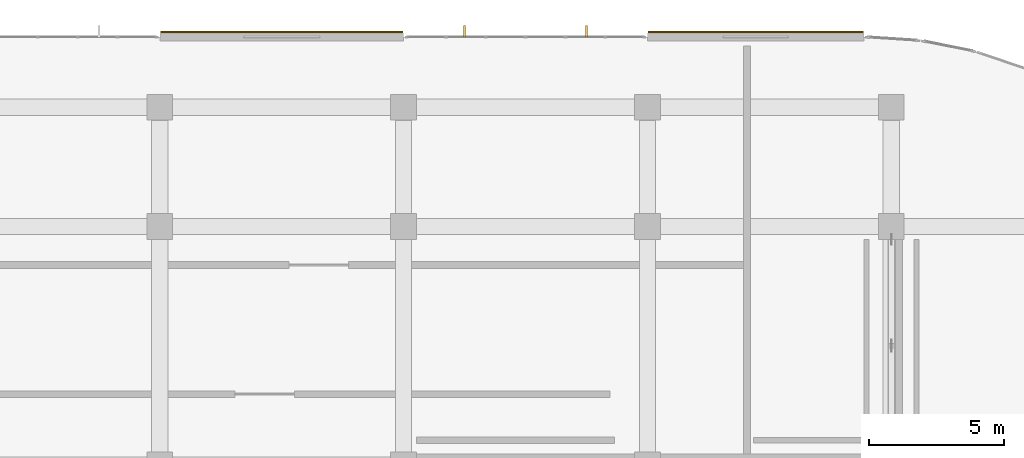
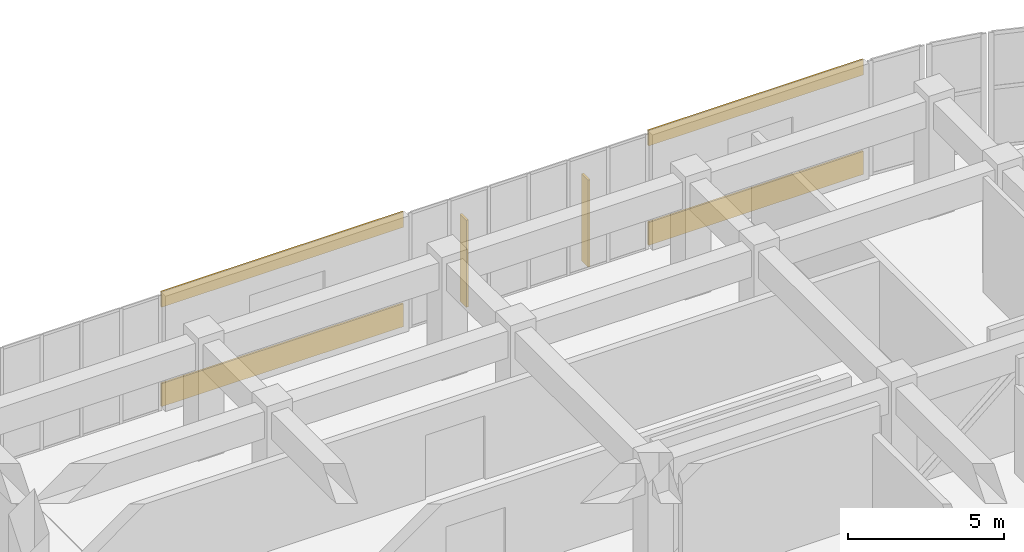
# One storey, part 85 of 86: 4 coverings, 2 shading devices.
"""IFC4 building model written with IfcOpenShell, lengths in metres."""

import ifcopenshell
import ifcopenshell.guid

model = None  # the IFC model being written
_history = None  # IfcOwnerHistory: only IFC2X3 demands one
_inside = {}  # id of a spatial element -> (the spatial element, [elements in it])
_under = {}  # id of a project, library or spatial element -> (it, [spatial elements below it])
_declared = {}  # id of a project -> (the project, [libraries it declares])
_typed = {}  # id of a type object -> (the type object, [elements of that type])
_made_of = {}  # id of a material, layer set ... -> (it, [elements and type objects made of it])


def new_model(schema):
    """Start an empty IFC model of exactly this schema.

    Asked for "IFC4X3", IfcOpenShell would pick the latest addendum, in which some entities
    have other attributes; the version numbers below select the first issue.
    IFC2X3 requires an IfcOwnerHistory on every rooted entity: one is made here for all.
    """
    global model, _history
    if schema == "IFC4X3":
        model = ifcopenshell.file(schema_version=(4, 3, 0, 0))
    else:
        model = ifcopenshell.file(schema=schema)
    _inside.clear()
    _under.clear()
    _declared.clear()
    _typed.clear()
    _made_of.clear()
    _history = None
    if model.schema == "IFC2X3":
        org = make("IfcOrganization", Name="unknown")
        user = make(
            "IfcPersonAndOrganization",
            ThePerson=make("IfcPerson", FamilyName="unknown"),
            TheOrganization=org,
        )
        app = make(
            "IfcApplication",
            ApplicationDeveloper=org,
            Version="unknown",
            ApplicationFullName="unknown",
            ApplicationIdentifier="unknown",
        )
        _history = make(
            "IfcOwnerHistory",
            OwningUser=user,
            OwningApplication=app,
            ChangeAction="ADDED",
            CreationDate=0,
        )
    return model


def make(cls, **values):
    """One entity of the class cls with the attributes given. An attribute that is None is left unset."""
    return model.create_entity(
        cls, **{name: value for name, value in values.items() if value is not None}
    )


def rooted(cls, **values):
    """An entity with a GlobalId (a new one), such as an element, a storey or a relation."""
    return make(cls, GlobalId=ifcopenshell.guid.new(), OwnerHistory=_history, **values)


def si_unit(unit_type, name, prefix=None):
    """IfcSIUnit, for example si_unit("LENGTHUNIT", "METRE", prefix="MILLI")."""
    return make("IfcSIUnit", UnitType=unit_type, Prefix=prefix, Name=name)


def assignment(units):
    """IfcUnitAssignment: the units of a project."""
    return None if units is None else make("IfcUnitAssignment", Units=units)


def point(xyz):
    """IfcCartesianPoint."""
    return None if xyz is None else make("IfcCartesianPoint", Coordinates=xyz)


def direction(xyz):
    """IfcDirection."""
    return None if xyz is None else make("IfcDirection", DirectionRatios=xyz)


def frame(location, z_axis=None, x_axis=None):
    """IfcAxis2Placement3D, a coordinate frame: its origin and axes. An axis left out is left unset."""
    return make(
        "IfcAxis2Placement3D",
        Location=point(location),
        Axis=direction(z_axis),
        RefDirection=direction(x_axis),
    )


def frame_2d(location, x_axis=None):
    """IfcAxis2Placement2D, a coordinate frame in the plane: its origin and x axis."""
    return make(
        "IfcAxis2Placement2D", Location=point(location), RefDirection=direction(x_axis)
    )


def origin():
    """The frame at (0, 0, 0) with its axes left unset."""
    return frame((0.0, 0.0, 0.0))


def origin_2d():
    """The frame at (0, 0) in the plane with its x axis left unset."""
    return frame_2d((0.0, 0.0))


def place(relative_to, where):
    """IfcLocalPlacement: puts the frame where relative to a parent placement (None: the world)."""
    return make(
        "IfcLocalPlacement", PlacementRelTo=relative_to, RelativePlacement=where
    )


def context(
    kind, dimensions, precision=None, world=None, true_north=None, identifier=None
):
    """IfcGeometricRepresentationContext, for example the 3D "Model" context."""
    return make(
        "IfcGeometricRepresentationContext",
        ContextIdentifier=identifier,
        ContextType=kind,
        CoordinateSpaceDimension=dimensions,
        Precision=precision,
        WorldCoordinateSystem=world,
        TrueNorth=true_north,
    )


def subcontext(parent, identifier, kind, view, scale=None):
    """IfcGeometricRepresentationSubContext, for example "Body" below "Model"."""
    return make(
        "IfcGeometricRepresentationSubContext",
        ContextIdentifier=identifier,
        ContextType=kind,
        ParentContext=parent,
        TargetScale=scale,
        TargetView=view,
    )


def project(units=None, contexts=None):
    """IfcProject with its units and contexts."""
    return rooted(
        "IfcProject",
        Name="project",
        RepresentationContexts=contexts,
        UnitsInContext=assignment(units),
    )


def spatial(cls, under=None, at=None, **own):
    """A site, building, storey or space (cls), placed at a placement, below another one or the project."""
    s = rooted(cls, ObjectPlacement=at, **own)
    if under is not None:
        _under.setdefault(under.id(), (under, []))[1].append(s)
    return s


def profile(cls, at=None, kind="AREA", **sizes):
    """A parametric profile (cls). Its sizes go by their IFC names, for example OverallWidth=200.0."""
    return make(cls, ProfileType=kind, Position=at, **sizes)


def rectangle(**sizes):
    """IfcRectangleProfileDef."""
    return profile("IfcRectangleProfileDef", **sizes)


def extrude(swept, where, along, depth):
    """IfcExtrudedAreaSolid: the profile swept, set in the frame where, extruded along a direction by depth."""
    return make(
        "IfcExtrudedAreaSolid",
        SweptArea=swept,
        Position=where,
        ExtrudedDirection=direction(along),
        Depth=depth,
    )


def shape(context_of_items, identifier, shape_type, items):
    """IfcShapeRepresentation: the items that make up one representation, for example the "Body"."""
    return make(
        "IfcShapeRepresentation",
        ContextOfItems=context_of_items,
        RepresentationIdentifier=identifier,
        RepresentationType=shape_type,
        Items=items,
    )


def material(Name=None, Category=None):
    """IfcMaterial."""
    return make("IfcMaterial", Name=Name, Category=Category)


def layer(
    of_material, thickness, ventilated=None, Name=None, Category=None, Priority=None
):
    """IfcMaterialLayer: one layer of a wall or slab, of a material (None: an air gap)."""
    return make(
        "IfcMaterialLayer",
        Material=of_material,
        LayerThickness=thickness,
        IsVentilated=ventilated,
        Name=Name,
        Category=Category,
        Priority=Priority,
    )


def layer_set(layers, Name=None):
    """IfcMaterialLayerSet."""
    return make("IfcMaterialLayerSet", MaterialLayers=layers, LayerSetName=Name)


def made_of(thing, what):
    """Note that an element or type object is made of a material, layer set ...; save() writes the relation."""
    if what is not None:
        _made_of.setdefault(what.id(), (what, []))[1].append(thing)
    return thing


def type_object(cls, material=None, **own):
    """A type object (cls), such as IfcWallType, which elements share."""
    return made_of(rooted(cls, **own), material)


def element(
    cls,
    number,
    at=None,
    inside=None,
    cuts=None,
    type_object=None,
    material=None,
    context=None,
    identifier="Body",
    shape_type=None,
    held_by="IfcProductDefinitionShape",
    body=None,
    shapes=None,
    **own,
):
    """One element of the class cls, such as IfcWall. Its Tag is "e" and its number.

    at: its placement. inside: the storey or other place that contains it. cuts: it is an
    opening in that element (IfcRelVoidsElement). A single representation is given by context,
    identifier, shape_type and body (its items); several are given by shapes. held_by: the class
    of the entity that holds the representations. save() writes the other relations.
    """
    e = rooted(cls, Tag="e%d" % number, ObjectPlacement=at, **own)
    if body is not None:
        shapes = [shape(context, identifier, shape_type, body)]
    if shapes is not None:
        e.Representation = make(held_by, Representations=shapes)
    if inside is not None:
        _inside.setdefault(inside.id(), (inside, []))[1].append(e)
    if cuts is not None:
        rooted(
            "IfcRelVoidsElement", RelatingBuildingElement=cuts, RelatedOpeningElement=e
        )
    if type_object is not None:
        _typed.setdefault(type_object.id(), (type_object, []))[1].append(e)
    return made_of(e, material)


def aggregate(whole, parts):
    """IfcRelAggregates: a whole, such as a stair, and the parts it consists of."""
    return rooted("IfcRelAggregates", RelatingObject=whole, RelatedObjects=parts)


def save(model, path):
    """Write the relations noted so far, then the file.

    IfcRelAggregates (storeys below a building ...), IfcRelContainedInSpatialStructure (elements
    in a storey), IfcRelDefinesByType, IfcRelAssociatesMaterial and IfcRelDeclares: one each for
    every whole, place, type object, material and project.
    """
    for whole, parts in _under.values():
        aggregate(whole, parts)
    for where, things in _inside.values():
        rooted(
            "IfcRelContainedInSpatialStructure",
            RelatedElements=things,
            RelatingStructure=where,
        )
    for kind, things in _typed.values():
        rooted("IfcRelDefinesByType", RelatedObjects=things, RelatingType=kind)
    for what, things in _made_of.values():
        rooted("IfcRelAssociatesMaterial", RelatedObjects=things, RelatingMaterial=what)
    for by, libraries in _declared.values():
        rooted("IfcRelDeclares", RelatingContext=by, RelatedDefinitions=libraries)
    model.write(path)


model = new_model("IFC4")

# Units and contexts
model_context = context("Model", 3, precision=1e-05, world=origin(), true_north=direction((0.0, 1.0)))
body_context = subcontext(model_context, "Body", "Model", "MODEL_VIEW")
ifc_project = project(units=[si_unit("LENGTHUNIT", "METRE"), si_unit("AREAUNIT", "SQUARE_METRE"), si_unit("VOLUMEUNIT", "CUBIC_METRE"), si_unit("PLANEANGLEUNIT", "RADIAN"), si_unit("MASSUNIT", "GRAM", prefix="KILO")], contexts=[model_context])

# Site, building, storey
site_placement = place(None, origin())
site = spatial("IfcSite", under=ifc_project, at=site_placement, CompositionType="ELEMENT")
building_placement = place(site_placement, origin())
building = spatial("IfcBuilding", under=site, at=building_placement, Name="Cendralis Terraced Arcade", CompositionType="ELEMENT")
storey_placement = place(building_placement, frame((0.0, 0.0, 5.39990234375)))
storey = spatial("IfcBuildingStorey", under=building, at=storey_placement, Name="L01", CompositionType="ELEMENT", Elevation=5.39990234375)

# Coverings
ifc_material_1 = material(Name="Precast concrete f'c 40 MPa", Category="concrete")
ifc_layer = layer(ifc_material_1, 0.06494140625, Name="COV-CLAD-GRC-65")
ifc_layer_set = layer_set([ifc_layer], Name="Precast concrete f'c 40 MPa")
covering_type = type_object("IfcCoveringType", Name="COV-CLAD-GRC-65", PredefinedType="CLADDING", material=ifc_layer_set)
covering_1_placement = place(storey_placement, frame((134.699951171875, 114.3798828125, 0.000244140625), z_axis=(0.0, 0.0, 1.0), x_axis=(1.0, 0.0, 0.0)))
element("IfcCovering", 1, at=covering_1_placement, inside=storey, type_object=covering_type, Name="Banded Precast Stone Spandrel Cladding L01-147", PredefinedType="CLADDING", context=body_context, shape_type="SweptSolid", body=[
    extrude(rectangle(XDim=8.93994140625, YDim=0.06494140625, at=origin_2d()), origin(), (0.0, 0.0, 1.0), 0.89990234375),
])
covering_2_placement = place(storey_placement, frame((134.699951171875, 114.3798828125, 3.885009765625), z_axis=(0.0, 0.0, 1.0), x_axis=(1.0, 0.0, 0.0)))
element("IfcCovering", 2, at=covering_2_placement, inside=storey, type_object=covering_type, Name="Banded Precast Stone Lintel Cladding L01-148", PredefinedType="CLADDING", context=body_context, shape_type="SweptSolid", body=[
    extrude(rectangle(XDim=8.93994140625, YDim=0.06494140625, at=origin_2d()), origin(), (0.0, 0.0, 1.0), 0.60009765625),
])
covering_3_placement = place(storey_placement, frame((152.199951171875, 114.3798828125, 0.000244140625), z_axis=(0.0, 0.0, 1.0), x_axis=(1.0, 0.0, 0.0)))
element("IfcCovering", 3, at=covering_3_placement, inside=storey, type_object=covering_type, Name="Banded Precast Stone Spandrel Cladding L01-149", PredefinedType="CLADDING", context=body_context, shape_type="SweptSolid", body=[
    extrude(rectangle(XDim=7.93994140625, YDim=0.06494140625, at=origin_2d()), origin(), (0.0, 0.0, 1.0), 0.89990234375),
])
covering_4_placement = place(storey_placement, frame((152.199951171875, 114.3798828125, 3.885009765625), z_axis=(0.0, 0.0, 1.0), x_axis=(1.0, 0.0, 0.0)))
element("IfcCovering", 4, at=covering_4_placement, inside=storey, type_object=covering_type, Name="Banded Precast Stone Lintel Cladding L01-150", PredefinedType="CLADDING", context=body_context, shape_type="SweptSolid", body=[
    extrude(rectangle(XDim=7.93994140625, YDim=0.06494140625, at=origin_2d()), origin(), (0.0, 0.0, 1.0), 0.60009765625),
])

# Shading devices
ifc_material_2 = material(Name="Anodised aluminium EN AW-6063 T6", Category="aluminium")
shading_device_type = type_object("IfcShadingDeviceType", Name="SHD-FIN-420", PredefinedType="USERDEFINED", material=ifc_material_2)
for number, where, z_axis, x_axis, name in (
    (5, (141.449951171875, 114.4150390625, 0.050048828125), (0.0, 0.0, 1.0), (1.0, 0.0, 0.0), "Parametric Vertical Solar Fin FIN-L01-013"),
    (6, (145.949951171875, 114.4150390625, 0.050048828125), (0.0, 0.0, 1.0), (1.0, 0.0, 0.0), "Parametric Vertical Solar Fin FIN-L01-014"),
):
    element("IfcShadingDevice", number, at=place(storey_placement, frame(where, z_axis=z_axis, x_axis=x_axis)), inside=storey, type_object=shading_device_type, Name=name, ObjectType="FIN", PredefinedType="USERDEFINED", context=body_context, shape_type="SweptSolid", body=[
        extrude(rectangle(XDim=0.074951171875, YDim=0.419921875, at=origin_2d()), origin(), (0.0, 0.0, 1.0), 3.39990234375),
    ])

save(model, "model.ifc")
